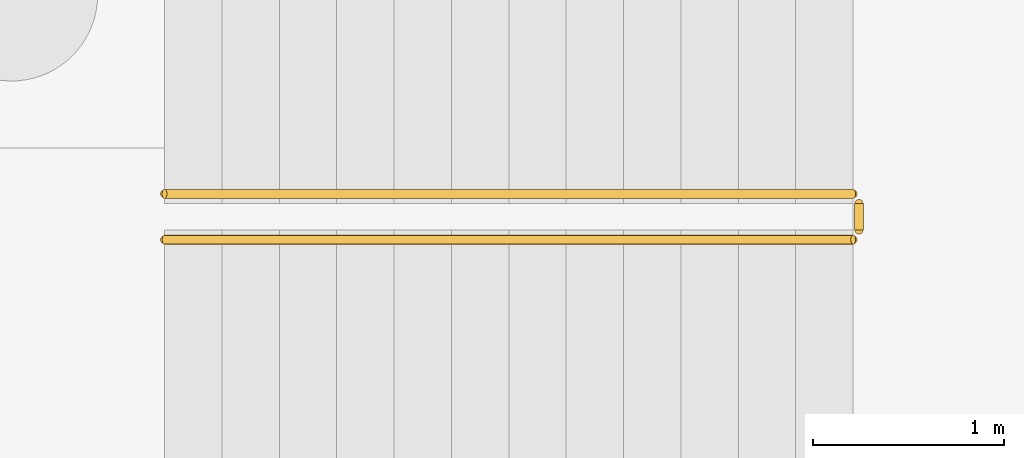
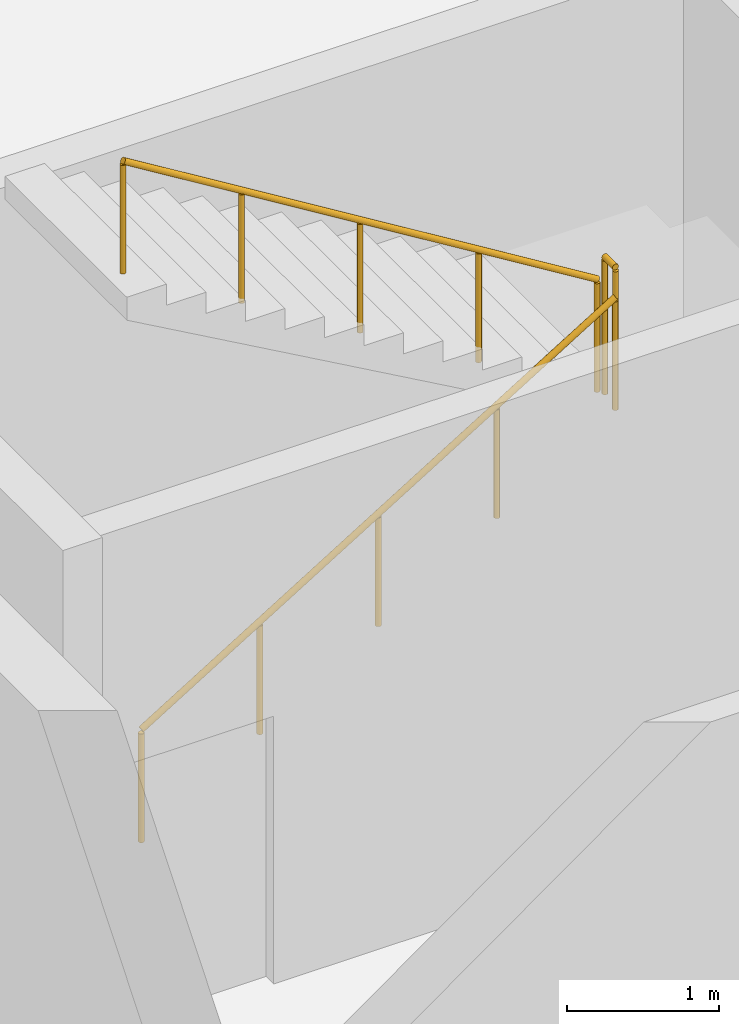
# One storey, part 9 of 13: 3 railings.
"""IFC4 building model written with IfcOpenShell, lengths in metres."""

from ifc_helpers import new_model, si_unit, direction, frame, origin, origin_2d, place, context, subcontext, project, spatial, circle, extrude, material, type_object, element, save


model = new_model("IFC4")

# Units and contexts
model_context = context("Model", 3, precision=1e-05, world=origin(), true_north=direction((0.0, 1.0)))
body_context = subcontext(model_context, "Body", "Model", "MODEL_VIEW")
ifc_project = project(units=[si_unit("LENGTHUNIT", "METRE"), si_unit("AREAUNIT", "SQUARE_METRE"), si_unit("VOLUMEUNIT", "CUBIC_METRE"), si_unit("PLANEANGLEUNIT", "RADIAN"), si_unit("MASSUNIT", "GRAM", prefix="KILO")], contexts=[model_context])

# Site, building, storey
site_placement = place(None, origin())
site = spatial("IfcSite", under=ifc_project, at=site_placement, CompositionType="ELEMENT")
building_placement = place(site_placement, origin())
building = spatial("IfcBuilding", under=site, at=building_placement, Name="Asteropetra Specialist Clinic", CompositionType="ELEMENT")
storey_placement = place(building_placement, frame((0.0, 0.0, -4.419921875)))
storey = spatial("IfcBuildingStorey", under=building, at=storey_placement, Name="B1", CompositionType="ELEMENT", Elevation=-4.419921875)

# Railings
ifc_material_1 = material(Name="Steel S355 and laminated glass guard", Category="steel")
railing_type_1 = type_object("IfcRailingType", Name="GRD-INT-1120", PredefinedType="GUARDRAIL", material=ifc_material_1)
railing_1_placement = place(storey_placement, frame((5.580078125, 24.02001953125, 2.2099609375)))
element("IfcRailing", 1, at=railing_1_placement, inside=storey, type_object=railing_type_1, Name="Landing Slot Guard ST06-B1", PredefinedType="GUARDRAIL", context=body_context, shape_type="SweptSolid", body=[
    extrude(circle(Radius=0.02392578125, at=origin_2d()), frame((0.0, 0.0, 1.09619140625), z_axis=(0.0, 1.0, 0.0), x_axis=(-1.0, 0.0, 0.0)), (0.0, 0.0, 1.0), 0.139892578125),
    extrude(circle(Radius=0.02099609375, at=origin_2d()), origin(), (0.0, 0.0, 1.0), 1.072021484375),
    extrude(circle(Radius=0.02099609375, at=origin_2d()), frame((0.0, 0.139892578125, 0.0)), (0.0, 0.0, 1.0), 1.072021484375),
])
ifc_material_2 = material(Name="Brushed stainless steel handrail", Category="steel")
railing_type_2 = type_object("IfcRailingType", Name="HRL-STAIR-920", PredefinedType="HANDRAIL", material=ifc_material_2)
railing_2_placement = place(storey_placement, frame((1.949951171875, 23.969970703125, 0.0)))
element("IfcRailing", 2, at=railing_2_placement, inside=storey, type_object=railing_type_2, Name="Stair Handrail ST06-B1 F1", PredefinedType="HANDRAIL", context=body_context, shape_type="SweptSolid", body=[
    extrude(circle(Radius=0.02392578125, at=origin_2d()), frame((0.0, 0.0, 0.89599609375), z_axis=(0.85223722916, 0.0, 0.523155526811), x_axis=(0.0, 1.0, 0.0)), (0.0, 0.0, 1.0), 4.224365234375),
    extrude(circle(Radius=0.02099609375, at=origin_2d()), origin(), (0.0, 0.0, 1.0), 0.871826171875),
    extrude(circle(Radius=0.02099609375, at=origin_2d()), frame((0.89990234375, 0.0, 0.552490234375)), (0.0, 0.0, 1.0), 0.871826171875),
    extrude(circle(Radius=0.02099609375, at=origin_2d()), frame((1.800048828125, 0.0, 1.10498046875)), (0.0, 0.0, 1.0), 0.871826171875),
    extrude(circle(Radius=0.02099609375, at=origin_2d()), frame((2.7001953125, 0.0, 1.657470703125)), (0.0, 0.0, 1.0), 0.871826171875),
    extrude(circle(Radius=0.02099609375, at=origin_2d()), frame((3.60009765625, 0.0, 2.2099609375)), (0.0, 0.0, 1.0), 0.871826171875),
])
railing_3_placement = place(storey_placement, frame((5.550048828125, 24.2099609375, 2.2099609375)))
element("IfcRailing", 3, at=railing_3_placement, inside=storey, type_object=railing_type_2, Name="Stair Handrail ST06-B1 F2", PredefinedType="HANDRAIL", context=body_context, shape_type="SweptSolid", body=[
    extrude(circle(Radius=0.02392578125, at=origin_2d()), frame((0.0, 0.0, 0.89599609375), z_axis=(-0.85223722916, 0.0, 0.523155526811), x_axis=(0.0, -1.0, 0.0)), (0.0, 0.0, 1.0), 4.224365234375),
    extrude(circle(Radius=0.02099609375, at=origin_2d()), origin(), (0.0, 0.0, 1.0), 0.871826171875),
    extrude(circle(Radius=0.02099609375, at=origin_2d()), frame((-0.89990234375, 0.0, 0.552490234375)), (0.0, 0.0, 1.0), 0.871826171875),
    extrude(circle(Radius=0.02099609375, at=origin_2d()), frame((-1.800048828125, 0.0, 1.10498046875)), (0.0, 0.0, 1.0), 0.871826171875),
    extrude(circle(Radius=0.02099609375, at=origin_2d()), frame((-2.7001953125, 0.0, 1.657470703125)), (0.0, 0.0, 1.0), 0.871826171875),
    extrude(circle(Radius=0.02099609375, at=origin_2d()), frame((-3.60009765625, 0.0, 2.2099609375)), (0.0, 0.0, 1.0), 0.871826171875),
])

save(model, "model.ifc")
